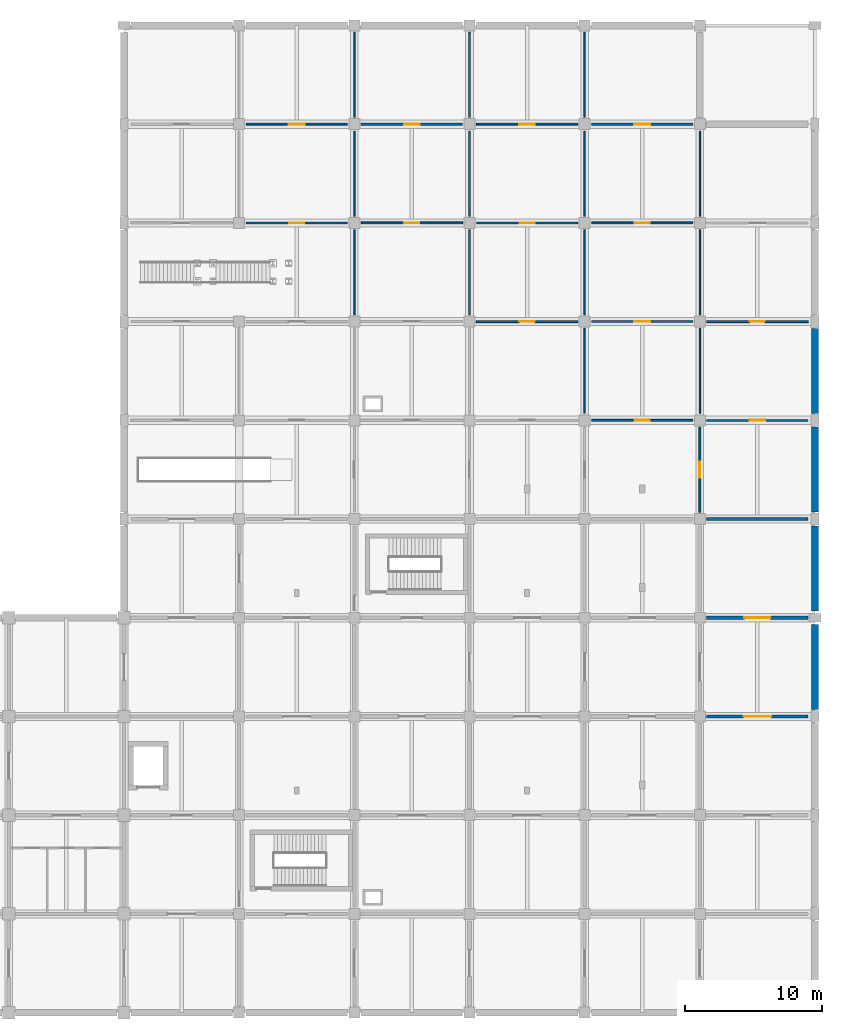
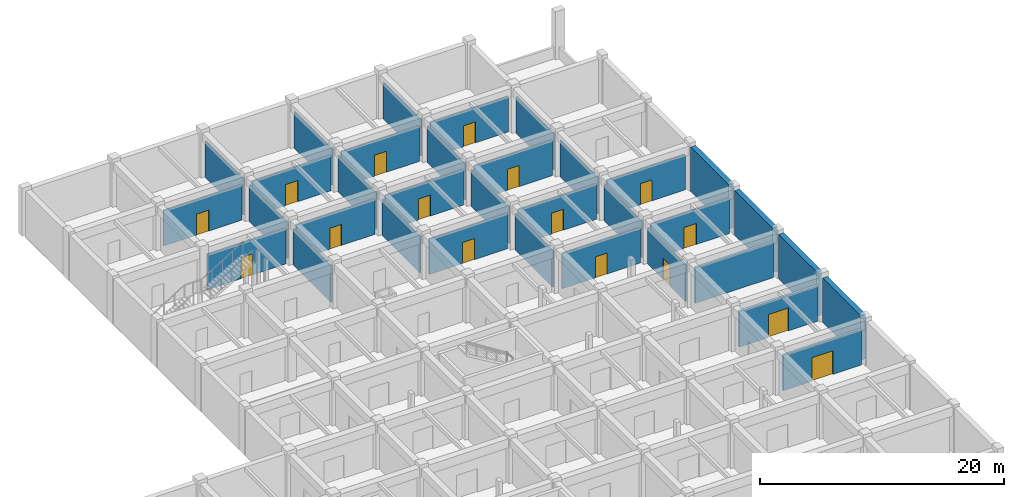
# One storey, part 28 of 32: 34 walls, 16 doors, 16 openings.
"""IFC4 building model written with IfcOpenShell, lengths in metres."""

from ifc_helpers import new_model, si_unit, derived_unit, direction, frame, frame_2d, origin, place, context, subcontext, project, spatial, rectangle, extrude, material, layer, layer_set, type_object, element, fill, save


model = new_model("IFC4")

# Units and contexts
model_context = context("Model", 3, precision=1e-05, world=origin(), true_north=direction((0.0, 1.0)))
body_context = subcontext(model_context, "Body", "Model", "MODEL_VIEW")
ifc_project = project(units=[si_unit("LENGTHUNIT", "METRE"), si_unit("AREAUNIT", "SQUARE_METRE"), si_unit("VOLUMEUNIT", "CUBIC_METRE"), si_unit("PLANEANGLEUNIT", "RADIAN"), si_unit("MASSUNIT", "GRAM", prefix="KILO"), derived_unit("THERMALTRANSMITTANCEUNIT", [(si_unit("MASSUNIT", "GRAM", prefix="KILO"), 1), (si_unit("TIMEUNIT", "SECOND"), -3), (si_unit("THERMODYNAMICTEMPERATUREUNIT", "KELVIN"), -1)])], contexts=[model_context])

# Site, building, storey
site_placement = place(None, origin())
site = spatial("IfcSite", under=ifc_project, at=site_placement, CompositionType="ELEMENT")
building_placement = place(site_placement, origin())
building = spatial("IfcBuilding", under=site, at=building_placement, Name="Veldstrom Oceanarium and Marine Research Institute", CompositionType="ELEMENT")
storey_placement = place(building_placement, frame((0.0, 0.0, -4.800048828125)))
storey = spatial("IfcBuildingStorey", under=building, at=storey_placement, Name="B01", CompositionType="ELEMENT", Elevation=-4.800048828125)

# Wall, opening, door
ifc_material_1 = material(Name="Masonry Fire Compartment Wall", Category="masonry")
ifc_layer_1 = layer(ifc_material_1, 0.22998046875)
ifc_layer_set_1 = layer_set([ifc_layer_1], Name="ARC-WAL-PT1")
wall_type_1 = type_object("IfcWallType", Name="ARC-WAL-PT1", PredefinedType="PARTITIONING", material=ifc_layer_set_1)
wall_1_placement = place(storey_placement, frame((160.10009765625, 64.800048828125, 0.0), z_axis=(0.0, 0.0, 1.0), x_axis=(1.0, 0.0, 0.0)))
wall_1 = element("IfcWall", 1, at=wall_1_placement, inside=storey, type_object=wall_type_1, Name="Interior Partition PT1 B01-0559", PredefinedType="PARTITIONING", context=body_context, shape_type="SweptSolid", body=[
    extrude(rectangle(XDim=7.39990234375, YDim=0.22998046875, at=frame_2d((3.699951171875, 0.0))), origin(), (0.0, 0.0, 1.0), 3.545166015625),
])
opening_1_placement = place(wall_1_placement, frame((2.699951171875, 0.0, 0.0)))
opening_1 = element("IfcOpeningElement", 2, at=opening_1_placement, cuts=wall_1, Name="Opening D-B01-323", PredefinedType="OPENING", context=body_context, shape_type="SweptSolid", body=[
    extrude(rectangle(XDim=2.0, YDim=2.35009765625, at=frame_2d((1.0, 1.175048828125))), frame((0.0, 0.125, 0.0), z_axis=(0.0, -1.0, 0.0), x_axis=(1.0, 0.0, 0.0)), (0.0, 0.0, 1.0), 0.25),
])
ifc_material_2 = material(Name="Filtration Hall Double Door", Category="steel")
door_type_1 = type_object("IfcDoorType", Name="ARC-DOR-ID18", OperationType="DOUBLE_DOOR_SINGLE_SWING", PredefinedType="DOOR", material=ifc_material_2)
door_1_placement = place(opening_1_placement, origin())
door_1 = element("IfcDoor", 3, at=door_1_placement, inside=storey, type_object=door_type_1, Name="Interior Door D-B01-323", OperationType="DOUBLE_DOOR_SINGLE_SWING", OverallHeight=2.35009765625, OverallWidth=2.0, PredefinedType="DOOR", context=body_context, shape_type="SweptSolid", body=[
    extrude(rectangle(XDim=2.0, YDim=2.35009765625, at=frame_2d((1.0, 1.175048828125))), frame((0.0, 0.02490234375, 0.0), z_axis=(0.0, -1.0, 0.0), x_axis=(1.0, 0.0, 0.0)), (0.0, 0.0, 1.0), 0.050048828125),
])
fill(opening_1, door_1)

# Wall
wall_2_placement = place(storey_placement, frame((160.10009765625, 79.199951171875, 0.0), z_axis=(0.0, 0.0, 1.0), x_axis=(1.0, 0.0, 0.0)))
element("IfcWall", 4, at=wall_2_placement, inside=storey, type_object=wall_type_1, Name="Interior Partition PT1 B01-0561", PredefinedType="PARTITIONING", context=body_context, shape_type="SweptSolid", body=[
    extrude(rectangle(XDim=7.39990234375, YDim=0.22998046875, at=frame_2d((3.699951171875, 0.0))), origin(), (0.0, 0.0, 1.0), 3.545166015625),
])

# Wall, opening, door
ifc_material_3 = material(Name="Drywall Corridor Partition", Category="gypsum")
ifc_layer_2 = layer(ifc_material_3, 0.155029296875)
ifc_layer_set_2 = layer_set([ifc_layer_2], Name="ARC-WAL-PT4")
wall_type_2 = type_object("IfcWallType", Name="ARC-WAL-PT4", PredefinedType="PARTITIONING", material=ifc_layer_set_2)
wall_3_placement = place(storey_placement, frame((126.5, 100.800048828125, 0.0), z_axis=(0.0, 0.0, 1.0), x_axis=(1.0, 0.0, 0.0)))
wall_3 = element("IfcWall", 5, at=wall_3_placement, inside=storey, type_object=wall_type_2, Name="Interior Partition PT4 B01-0497", PredefinedType="PARTITIONING", context=body_context, shape_type="SweptSolid", body=[
    extrude(rectangle(XDim=7.39990234375, YDim=0.155029296875, at=frame_2d((3.699951171875, 0.0))), origin(), (0.0, 0.0, 1.0), 3.545166015625),
])
opening_2_placement = place(wall_3_placement, frame((3.14990234375, 0.0, 0.0)))
opening_2 = element("IfcOpeningElement", 6, at=opening_2_placement, cuts=wall_3, Name="Opening D-B01-290", PredefinedType="OPENING", context=body_context, shape_type="SweptSolid", body=[
    extrude(rectangle(XDim=1.10009765625, YDim=2.10009765625, at=frame_2d((0.550048828125, 1.050048828125))), frame((0.0, 0.08740234375, 0.0), z_axis=(0.0, -1.0, 0.0), x_axis=(1.0, 0.0, 0.0)), (0.0, 0.0, 1.0), 0.175048828125),
])
ifc_material_4 = material(Name="Research Office Door", Category="timber")
door_type_2 = type_object("IfcDoorType", Name="ARC-DOR-ID07", OperationType="SINGLE_SWING_LEFT", PredefinedType="DOOR", material=ifc_material_4)
door_2_placement = place(opening_2_placement, frame((1.10009765625, 0.0, 0.0), z_axis=(0.0, 0.0, 1.0), x_axis=(-1.0, 0.0, 0.0)))
door_2 = element("IfcDoor", 7, at=door_2_placement, inside=storey, type_object=door_type_2, Name="Interior Door D-B01-290", OperationType="SINGLE_SWING_LEFT", OverallHeight=2.10009765625, OverallWidth=1.10009765625, PredefinedType="DOOR", context=body_context, shape_type="SweptSolid", body=[
    extrude(rectangle(XDim=1.10009765625, YDim=2.10009765625, at=frame_2d((0.550048828125, 1.050048828125))), frame((0.0, 0.02490234375, 0.0), z_axis=(0.0, -1.0, 0.0), x_axis=(1.0, 0.0, 0.0)), (0.0, 0.0, 1.0), 0.050048828125),
])
fill(opening_2, door_2)

wall_4_placement = place(storey_placement, frame((134.89990234375, 108.0, 0.0), z_axis=(0.0, 0.0, 1.0), x_axis=(1.0, 0.0, 0.0)))
wall_4 = element("IfcWall", 8, at=wall_4_placement, inside=storey, type_object=wall_type_2, Name="Interior Partition PT4 B01-0518", PredefinedType="PARTITIONING", context=body_context, shape_type="SweptSolid", body=[
    extrude(rectangle(XDim=7.400146484375, YDim=0.155029296875, at=frame_2d((3.7001953125, 0.0))), origin(), (0.0, 0.0, 1.0), 3.545166015625),
])
opening_3_placement = place(wall_4_placement, frame((3.125, 0.0, 0.0)))
opening_3 = element("IfcOpeningElement", 9, at=opening_3_placement, cuts=wall_4, Name="Opening D-B01-301", PredefinedType="OPENING", context=body_context, shape_type="SweptSolid", body=[
    extrude(rectangle(XDim=1.14990234375, YDim=2.10009765625, at=frame_2d((0.574951171875, 1.050048828125))), frame((0.0, 0.08740234375, 0.0), z_axis=(0.0, -1.0, 0.0), x_axis=(1.0, 0.0, 0.0)), (0.0, 0.0, 1.0), 0.175048828125),
])
ifc_material_5 = material(Name="Fellows Studio Door", Category="timber")
door_type_3 = type_object("IfcDoorType", Name="ARC-DOR-ID17", OperationType="SINGLE_SWING_LEFT", PredefinedType="DOOR", material=ifc_material_5)
door_3_placement = place(opening_3_placement, frame((1.14990234375, 0.0, 0.0), z_axis=(0.0, 0.0, 1.0), x_axis=(-1.0, 0.0, 0.0)))
door_3 = element("IfcDoor", 10, at=door_3_placement, inside=storey, type_object=door_type_3, Name="Interior Door D-B01-301", OperationType="SINGLE_SWING_LEFT", OverallHeight=2.10009765625, OverallWidth=1.14990234375, PredefinedType="DOOR", context=body_context, shape_type="SweptSolid", body=[
    extrude(rectangle(XDim=1.14990234375, YDim=2.10009765625, at=frame_2d((0.574951171875, 1.050048828125))), frame((0.0, 0.02490234375, 0.0), z_axis=(0.0, -1.0, 0.0), x_axis=(1.0, 0.0, 0.0)), (0.0, 0.0, 1.0), 0.050048828125),
])
fill(opening_3, door_3)

wall_5_placement = place(storey_placement, frame((143.300048828125, 100.800048828125, 0.0), z_axis=(0.0, 0.0, 1.0), x_axis=(1.0, 0.0, 0.0)))
wall_5 = element("IfcWall", 11, at=wall_5_placement, inside=storey, type_object=wall_type_2, Name="Interior Partition PT4 B01-0535", PredefinedType="PARTITIONING", context=body_context, shape_type="SweptSolid", body=[
    extrude(rectangle(XDim=7.39990234375, YDim=0.155029296875, at=frame_2d((3.699951171875, 0.0))), origin(), (0.0, 0.0, 1.0), 3.545166015625),
])
opening_4_placement = place(wall_5_placement, frame((3.14990234375, 0.0, 0.0)))
opening_4 = element("IfcOpeningElement", 12, at=opening_4_placement, cuts=wall_5, Name="Opening D-B01-310", PredefinedType="OPENING", context=body_context, shape_type="SweptSolid", body=[
    extrude(rectangle(XDim=1.10009765625, YDim=2.10009765625, at=frame_2d((0.550048828125, 1.050048828125))), frame((0.0, 0.08740234375, 0.0), z_axis=(0.0, -1.0, 0.0), x_axis=(1.0, 0.0, 0.0)), (0.0, 0.0, 1.0), 0.175048828125),
])
door_4_placement = place(opening_4_placement, frame((1.10009765625, 0.0, 0.0), z_axis=(0.0, 0.0, 1.0), x_axis=(-1.0, 0.0, 0.0)))
door_4 = element("IfcDoor", 13, at=door_4_placement, inside=storey, type_object=door_type_2, Name="Interior Door D-B01-310", OperationType="SINGLE_SWING_LEFT", OverallHeight=2.10009765625, OverallWidth=1.10009765625, PredefinedType="DOOR", context=body_context, shape_type="SweptSolid", body=[
    extrude(rectangle(XDim=1.10009765625, YDim=2.10009765625, at=frame_2d((0.550048828125, 1.050048828125))), frame((0.0, 0.02490234375, 0.0), z_axis=(0.0, -1.0, 0.0), x_axis=(1.0, 0.0, 0.0)), (0.0, 0.0, 1.0), 0.050048828125),
])
fill(opening_4, door_4)

wall_6_placement = place(storey_placement, frame((151.699951171875, 93.60009765625, 0.0), z_axis=(0.0, 0.0, 1.0), x_axis=(1.0, 0.0, 0.0)))
wall_6 = element("IfcWall", 14, at=wall_6_placement, inside=storey, type_object=wall_type_2, Name="Interior Partition PT4 B01-0552", PredefinedType="PARTITIONING", context=body_context, shape_type="SweptSolid", body=[
    extrude(rectangle(XDim=7.400146484375, YDim=0.155029296875, at=frame_2d((3.7001953125, 0.0))), origin(), (0.0, 0.0, 1.0), 3.545166015625),
])
opening_5_placement = place(wall_6_placement, frame((3.125, 0.0, 0.0)))
opening_5 = element("IfcOpeningElement", 15, at=opening_5_placement, cuts=wall_6, Name="Opening D-B01-319", PredefinedType="OPENING", context=body_context, shape_type="SweptSolid", body=[
    extrude(rectangle(XDim=1.14990234375, YDim=2.10009765625, at=frame_2d((0.574951171875, 1.050048828125))), frame((0.0, 0.08740234375, 0.0), z_axis=(0.0, -1.0, 0.0), x_axis=(1.0, 0.0, 0.0)), (0.0, 0.0, 1.0), 0.175048828125),
])
door_5_placement = place(opening_5_placement, frame((1.14990234375, 0.0, 0.0), z_axis=(0.0, 0.0, 1.0), x_axis=(-1.0, 0.0, 0.0)))
door_5 = element("IfcDoor", 16, at=door_5_placement, inside=storey, type_object=door_type_3, Name="Interior Door D-B01-319", OperationType="SINGLE_SWING_LEFT", OverallHeight=2.10009765625, OverallWidth=1.14990234375, PredefinedType="DOOR", context=body_context, shape_type="SweptSolid", body=[
    extrude(rectangle(XDim=1.14990234375, YDim=2.10009765625, at=frame_2d((0.574951171875, 1.050048828125))), frame((0.0, 0.02490234375, 0.0), z_axis=(0.0, -1.0, 0.0), x_axis=(1.0, 0.0, 0.0)), (0.0, 0.0, 1.0), 0.050048828125),
])
fill(opening_5, door_5)

wall_7_placement = place(storey_placement, frame((151.699951171875, 108.0, 0.0), z_axis=(0.0, 0.0, 1.0), x_axis=(1.0, 0.0, 0.0)))
wall_7 = element("IfcWall", 17, at=wall_7_placement, inside=storey, type_object=wall_type_2, Name="Interior Partition PT4 B01-0556", PredefinedType="PARTITIONING", context=body_context, shape_type="SweptSolid", body=[
    extrude(rectangle(XDim=7.400146484375, YDim=0.155029296875, at=frame_2d((3.7001953125, 0.0))), origin(), (0.0, 0.0, 1.0), 3.545166015625),
])
opening_6_placement = place(wall_7_placement, frame((3.125, 0.0, 0.0)))
opening_6 = element("IfcOpeningElement", 18, at=opening_6_placement, cuts=wall_7, Name="Opening D-B01-321", PredefinedType="OPENING", context=body_context, shape_type="SweptSolid", body=[
    extrude(rectangle(XDim=1.14990234375, YDim=2.10009765625, at=frame_2d((0.574951171875, 1.050048828125))), frame((0.0, 0.08740234375, 0.0), z_axis=(0.0, -1.0, 0.0), x_axis=(1.0, 0.0, 0.0)), (0.0, 0.0, 1.0), 0.175048828125),
])
door_6_placement = place(opening_6_placement, frame((1.14990234375, 0.0, 0.0), z_axis=(0.0, 0.0, 1.0), x_axis=(-1.0, 0.0, 0.0)))
door_6 = element("IfcDoor", 19, at=door_6_placement, inside=storey, type_object=door_type_3, Name="Interior Door D-B01-321", OperationType="SINGLE_SWING_LEFT", OverallHeight=2.10009765625, OverallWidth=1.14990234375, PredefinedType="DOOR", context=body_context, shape_type="SweptSolid", body=[
    extrude(rectangle(XDim=1.14990234375, YDim=2.10009765625, at=frame_2d((0.574951171875, 1.050048828125))), frame((0.0, 0.02490234375, 0.0), z_axis=(0.0, -1.0, 0.0), x_axis=(1.0, 0.0, 0.0)), (0.0, 0.0, 1.0), 0.050048828125),
])
fill(opening_6, door_6)

wall_8_placement = place(storey_placement, frame((160.10009765625, 86.39990234375, 0.0), z_axis=(0.0, 0.0, 1.0), x_axis=(1.0, 0.0, 0.0)))
wall_8 = element("IfcWall", 20, at=wall_8_placement, inside=storey, type_object=wall_type_2, Name="Interior Partition PT4 B01-0562", PredefinedType="PARTITIONING", context=body_context, shape_type="SweptSolid", body=[
    extrude(rectangle(XDim=7.39990234375, YDim=0.155029296875, at=frame_2d((3.699951171875, 0.0))), origin(), (0.0, 0.0, 1.0), 3.545166015625),
])
opening_7_placement = place(wall_8_placement, frame((3.125, 0.0, 0.0)))
opening_7 = element("IfcOpeningElement", 21, at=opening_7_placement, cuts=wall_8, Name="Opening D-B01-325", PredefinedType="OPENING", context=body_context, shape_type="SweptSolid", body=[
    extrude(rectangle(XDim=1.14990234375, YDim=2.10009765625, at=frame_2d((0.574951171875, 1.050048828125))), frame((0.0, 0.08740234375, 0.0), z_axis=(0.0, -1.0, 0.0), x_axis=(1.0, 0.0, 0.0)), (0.0, 0.0, 1.0), 0.175048828125),
])
door_7_placement = place(opening_7_placement, frame((1.14990234375, 0.0, 0.0), z_axis=(0.0, 0.0, 1.0), x_axis=(-1.0, 0.0, 0.0)))
door_7 = element("IfcDoor", 22, at=door_7_placement, inside=storey, type_object=door_type_3, Name="Interior Door D-B01-325", OperationType="SINGLE_SWING_LEFT", OverallHeight=2.10009765625, OverallWidth=1.14990234375, PredefinedType="DOOR", context=body_context, shape_type="SweptSolid", body=[
    extrude(rectangle(XDim=1.14990234375, YDim=2.10009765625, at=frame_2d((0.574951171875, 1.050048828125))), frame((0.0, 0.02490234375, 0.0), z_axis=(0.0, -1.0, 0.0), x_axis=(1.0, 0.0, 0.0)), (0.0, 0.0, 1.0), 0.050048828125),
])
fill(opening_7, door_7)

ifc_material_6 = material(Name="Moisture-Resistant Wet-Area Partition", Category="masonry")
ifc_layer_3 = layer(ifc_material_6, 0.139892578125)
ifc_layer_set_3 = layer_set([ifc_layer_3], Name="ARC-WAL-PT5")
wall_type_3 = type_object("IfcWallType", Name="ARC-WAL-PT5", PredefinedType="PARTITIONING", material=ifc_layer_set_3)
wall_9_placement = place(storey_placement, frame((126.5, 108.0, 0.0), z_axis=(0.0, 0.0, 1.0), x_axis=(1.0, 0.0, 0.0)))
wall_9 = element("IfcWall", 23, at=wall_9_placement, inside=storey, type_object=wall_type_3, Name="Interior Partition PT5 B01-0499", PredefinedType="PARTITIONING", context=body_context, shape_type="SweptSolid", body=[
    extrude(rectangle(XDim=7.39990234375, YDim=0.139892578125, at=frame_2d((3.699951171875, 0.0))), origin(), (0.0, 0.0, 1.0), 3.545166015625),
])
opening_8_placement = place(wall_9_placement, frame((3.125, 0.0, 0.0)))
opening_8 = element("IfcOpeningElement", 24, at=opening_8_placement, cuts=wall_9, Name="Opening D-B01-291", PredefinedType="OPENING", context=body_context, shape_type="SweptSolid", body=[
    extrude(rectangle(XDim=1.14990234375, YDim=2.10009765625, at=frame_2d((0.574951171875, 1.050048828125))), frame((0.0, 0.079833984375, 0.0), z_axis=(0.0, -1.0, 0.0), x_axis=(1.0, 0.0, 0.0)), (0.0, 0.0, 1.0), 0.159912109375),
])
door_8_placement = place(opening_8_placement, origin())
door_8 = element("IfcDoor", 25, at=door_8_placement, inside=storey, type_object=door_type_3, Name="Interior Door D-B01-291", OperationType="SINGLE_SWING_LEFT", OverallHeight=2.10009765625, OverallWidth=1.14990234375, PredefinedType="DOOR", context=body_context, shape_type="SweptSolid", body=[
    extrude(rectangle(XDim=1.14990234375, YDim=2.10009765625, at=frame_2d((0.574951171875, 1.050048828125))), frame((0.0, 0.02490234375, 0.0), z_axis=(0.0, -1.0, 0.0), x_axis=(1.0, 0.0, 0.0)), (0.0, 0.0, 1.0), 0.050048828125),
])
fill(opening_8, door_8)

wall_10_placement = place(storey_placement, frame((134.89990234375, 100.800048828125, 0.0), z_axis=(0.0, 0.0, 1.0), x_axis=(1.0, 0.0, 0.0)))
wall_10 = element("IfcWall", 26, at=wall_10_placement, inside=storey, type_object=wall_type_3, Name="Interior Partition PT5 B01-0516", PredefinedType="PARTITIONING", context=body_context, shape_type="SweptSolid", body=[
    extrude(rectangle(XDim=7.400146484375, YDim=0.139892578125, at=frame_2d((3.7001953125, 0.0))), origin(), (0.0, 0.0, 1.0), 3.545166015625),
])
opening_9_placement = place(wall_10_placement, frame((3.14990234375, 0.0, 0.0)))
opening_9 = element("IfcOpeningElement", 27, at=opening_9_placement, cuts=wall_10, Name="Opening D-B01-300", PredefinedType="OPENING", context=body_context, shape_type="SweptSolid", body=[
    extrude(rectangle(XDim=1.10009765625, YDim=2.10009765625, at=frame_2d((0.550048828125, 1.050048828125))), frame((0.0, 0.079833984375, 0.0), z_axis=(0.0, -1.0, 0.0), x_axis=(1.0, 0.0, 0.0)), (0.0, 0.0, 1.0), 0.159912109375),
])
door_9_placement = place(opening_9_placement, origin())
door_9 = element("IfcDoor", 28, at=door_9_placement, inside=storey, type_object=door_type_2, Name="Interior Door D-B01-300", OperationType="SINGLE_SWING_LEFT", OverallHeight=2.10009765625, OverallWidth=1.10009765625, PredefinedType="DOOR", context=body_context, shape_type="SweptSolid", body=[
    extrude(rectangle(XDim=1.10009765625, YDim=2.10009765625, at=frame_2d((0.550048828125, 1.050048828125))), frame((0.0, 0.02490234375, 0.0), z_axis=(0.0, -1.0, 0.0), x_axis=(1.0, 0.0, 0.0)), (0.0, 0.0, 1.0), 0.050048828125),
])
fill(opening_9, door_9)

wall_11_placement = place(storey_placement, frame((143.300048828125, 93.60009765625, 0.0), z_axis=(0.0, 0.0, 1.0), x_axis=(1.0, 0.0, 0.0)))
wall_11 = element("IfcWall", 29, at=wall_11_placement, inside=storey, type_object=wall_type_3, Name="Interior Partition PT5 B01-0533", PredefinedType="PARTITIONING", context=body_context, shape_type="SweptSolid", body=[
    extrude(rectangle(XDim=7.39990234375, YDim=0.139892578125, at=frame_2d((3.699951171875, 0.0))), origin(), (0.0, 0.0, 1.0), 3.545166015625),
])
opening_10_placement = place(wall_11_placement, frame((3.125, 0.0, 0.0)))
opening_10 = element("IfcOpeningElement", 30, at=opening_10_placement, cuts=wall_11, Name="Opening D-B01-309", PredefinedType="OPENING", context=body_context, shape_type="SweptSolid", body=[
    extrude(rectangle(XDim=1.14990234375, YDim=2.10009765625, at=frame_2d((0.574951171875, 1.050048828125))), frame((0.0, 0.079833984375, 0.0), z_axis=(0.0, -1.0, 0.0), x_axis=(1.0, 0.0, 0.0)), (0.0, 0.0, 1.0), 0.159912109375),
])
door_10_placement = place(opening_10_placement, origin())
door_10 = element("IfcDoor", 31, at=door_10_placement, inside=storey, type_object=door_type_3, Name="Interior Door D-B01-309", OperationType="SINGLE_SWING_LEFT", OverallHeight=2.10009765625, OverallWidth=1.14990234375, PredefinedType="DOOR", context=body_context, shape_type="SweptSolid", body=[
    extrude(rectangle(XDim=1.14990234375, YDim=2.10009765625, at=frame_2d((0.574951171875, 1.050048828125))), frame((0.0, 0.02490234375, 0.0), z_axis=(0.0, -1.0, 0.0), x_axis=(1.0, 0.0, 0.0)), (0.0, 0.0, 1.0), 0.050048828125),
])
fill(opening_10, door_10)

wall_12_placement = place(storey_placement, frame((143.300048828125, 108.0, 0.0), z_axis=(0.0, 0.0, 1.0), x_axis=(1.0, 0.0, 0.0)))
wall_12 = element("IfcWall", 32, at=wall_12_placement, inside=storey, type_object=wall_type_3, Name="Interior Partition PT5 B01-0537", PredefinedType="PARTITIONING", context=body_context, shape_type="SweptSolid", body=[
    extrude(rectangle(XDim=7.39990234375, YDim=0.139892578125, at=frame_2d((3.699951171875, 0.0))), origin(), (0.0, 0.0, 1.0), 3.545166015625),
])
opening_11_placement = place(wall_12_placement, frame((3.125, 0.0, 0.0)))
opening_11 = element("IfcOpeningElement", 33, at=opening_11_placement, cuts=wall_12, Name="Opening D-B01-311", PredefinedType="OPENING", context=body_context, shape_type="SweptSolid", body=[
    extrude(rectangle(XDim=1.14990234375, YDim=2.10009765625, at=frame_2d((0.574951171875, 1.050048828125))), frame((0.0, 0.079833984375, 0.0), z_axis=(0.0, -1.0, 0.0), x_axis=(1.0, 0.0, 0.0)), (0.0, 0.0, 1.0), 0.159912109375),
])
door_11_placement = place(opening_11_placement, origin())
door_11 = element("IfcDoor", 34, at=door_11_placement, inside=storey, type_object=door_type_3, Name="Interior Door D-B01-311", OperationType="SINGLE_SWING_LEFT", OverallHeight=2.10009765625, OverallWidth=1.14990234375, PredefinedType="DOOR", context=body_context, shape_type="SweptSolid", body=[
    extrude(rectangle(XDim=1.14990234375, YDim=2.10009765625, at=frame_2d((0.574951171875, 1.050048828125))), frame((0.0, 0.02490234375, 0.0), z_axis=(0.0, -1.0, 0.0), x_axis=(1.0, 0.0, 0.0)), (0.0, 0.0, 1.0), 0.050048828125),
])
fill(opening_11, door_11)

wall_13_placement = place(storey_placement, frame((159.60009765625, 79.699951171875, 0.0), z_axis=(0.0, 0.0, 1.0), x_axis=(0.0, 1.0, 0.0)))
wall_13 = element("IfcWall", 35, at=wall_13_placement, inside=storey, type_object=wall_type_3, Name="Interior Partition PT5 B01-0549", PredefinedType="PARTITIONING", context=body_context, shape_type="SweptSolid", body=[
    extrude(rectangle(XDim=6.199951171875, YDim=0.139892578125, at=frame_2d((3.10009765625, 0.0))), origin(), (0.0, 0.0, 1.0), 3.64501953125),
])
opening_12_placement = place(wall_13_placement, frame((2.52490234375, 0.0, 0.0)))
opening_12 = element("IfcOpeningElement", 36, at=opening_12_placement, cuts=wall_13, Name="Opening D-B01-317", PredefinedType="OPENING", context=body_context, shape_type="SweptSolid", body=[
    extrude(rectangle(XDim=1.14990234375, YDim=2.10009765625, at=frame_2d((0.574951171875, 1.050048828125))), frame((0.0, 0.079833984375, 0.0), z_axis=(0.0, -1.0, 0.0), x_axis=(1.0, 0.0, 0.0)), (0.0, 0.0, 1.0), 0.159912109375),
])
door_12_placement = place(opening_12_placement, frame((1.14990234375, 0.0, 0.0), z_axis=(0.0, 0.0, 1.0), x_axis=(-1.0, 0.0, 0.0)))
door_12 = element("IfcDoor", 37, at=door_12_placement, inside=storey, type_object=door_type_3, Name="Interior Door D-B01-317", OperationType="SINGLE_SWING_RIGHT", OverallHeight=2.10009765625, OverallWidth=1.14990234375, PredefinedType="DOOR", context=body_context, shape_type="SweptSolid", body=[
    extrude(rectangle(XDim=1.14990234375, YDim=2.10009765625, at=frame_2d((0.574951171875, 1.050048828125))), frame((0.0, 0.02490234375, 0.0), z_axis=(0.0, -1.0, 0.0), x_axis=(1.0, 0.0, 0.0)), (0.0, 0.0, 1.0), 0.050048828125),
])
fill(opening_12, door_12)

wall_14_placement = place(storey_placement, frame((151.699951171875, 86.39990234375, 0.0), z_axis=(0.0, 0.0, 1.0), x_axis=(1.0, 0.0, 0.0)))
wall_14 = element("IfcWall", 38, at=wall_14_placement, inside=storey, type_object=wall_type_3, Name="Interior Partition PT5 B01-0550", PredefinedType="PARTITIONING", context=body_context, shape_type="SweptSolid", body=[
    extrude(rectangle(XDim=7.400146484375, YDim=0.139892578125, at=frame_2d((3.7001953125, 0.0))), origin(), (0.0, 0.0, 1.0), 3.545166015625),
])
opening_13_placement = place(wall_14_placement, frame((3.14990234375, 0.0, 0.0)))
opening_13 = element("IfcOpeningElement", 39, at=opening_13_placement, cuts=wall_14, Name="Opening D-B01-318", PredefinedType="OPENING", context=body_context, shape_type="SweptSolid", body=[
    extrude(rectangle(XDim=1.10009765625, YDim=2.10009765625, at=frame_2d((0.550048828125, 1.050048828125))), frame((0.0, 0.079833984375, 0.0), z_axis=(0.0, -1.0, 0.0), x_axis=(1.0, 0.0, 0.0)), (0.0, 0.0, 1.0), 0.159912109375),
])
door_13_placement = place(opening_13_placement, origin())
door_13 = element("IfcDoor", 40, at=door_13_placement, inside=storey, type_object=door_type_2, Name="Interior Door D-B01-318", OperationType="SINGLE_SWING_LEFT", OverallHeight=2.10009765625, OverallWidth=1.10009765625, PredefinedType="DOOR", context=body_context, shape_type="SweptSolid", body=[
    extrude(rectangle(XDim=1.10009765625, YDim=2.10009765625, at=frame_2d((0.550048828125, 1.050048828125))), frame((0.0, 0.02490234375, 0.0), z_axis=(0.0, -1.0, 0.0), x_axis=(1.0, 0.0, 0.0)), (0.0, 0.0, 1.0), 0.050048828125),
])
fill(opening_13, door_13)

wall_15_placement = place(storey_placement, frame((151.699951171875, 100.800048828125, 0.0), z_axis=(0.0, 0.0, 1.0), x_axis=(1.0, 0.0, 0.0)))
wall_15 = element("IfcWall", 41, at=wall_15_placement, inside=storey, type_object=wall_type_3, Name="Interior Partition PT5 B01-0554", PredefinedType="PARTITIONING", context=body_context, shape_type="SweptSolid", body=[
    extrude(rectangle(XDim=7.400146484375, YDim=0.139892578125, at=frame_2d((3.7001953125, 0.0))), origin(), (0.0, 0.0, 1.0), 3.545166015625),
])
opening_14_placement = place(wall_15_placement, frame((3.14990234375, 0.0, 0.0)))
opening_14 = element("IfcOpeningElement", 42, at=opening_14_placement, cuts=wall_15, Name="Opening D-B01-320", PredefinedType="OPENING", context=body_context, shape_type="SweptSolid", body=[
    extrude(rectangle(XDim=1.10009765625, YDim=2.10009765625, at=frame_2d((0.550048828125, 1.050048828125))), frame((0.0, 0.079833984375, 0.0), z_axis=(0.0, -1.0, 0.0), x_axis=(1.0, 0.0, 0.0)), (0.0, 0.0, 1.0), 0.159912109375),
])
door_14_placement = place(opening_14_placement, origin())
door_14 = element("IfcDoor", 43, at=door_14_placement, inside=storey, type_object=door_type_2, Name="Interior Door D-B01-320", OperationType="SINGLE_SWING_LEFT", OverallHeight=2.10009765625, OverallWidth=1.10009765625, PredefinedType="DOOR", context=body_context, shape_type="SweptSolid", body=[
    extrude(rectangle(XDim=1.10009765625, YDim=2.10009765625, at=frame_2d((0.550048828125, 1.050048828125))), frame((0.0, 0.02490234375, 0.0), z_axis=(0.0, -1.0, 0.0), x_axis=(1.0, 0.0, 0.0)), (0.0, 0.0, 1.0), 0.050048828125),
])
fill(opening_14, door_14)

wall_16_placement = place(storey_placement, frame((160.10009765625, 93.60009765625, 0.0), z_axis=(0.0, 0.0, 1.0), x_axis=(1.0, 0.0, 0.0)))
wall_16 = element("IfcWall", 44, at=wall_16_placement, inside=storey, type_object=wall_type_3, Name="Interior Partition PT5 B01-0563", PredefinedType="PARTITIONING", context=body_context, shape_type="SweptSolid", body=[
    extrude(rectangle(XDim=7.39990234375, YDim=0.139892578125, at=frame_2d((3.699951171875, 0.0))), origin(), (0.0, 0.0, 1.0), 3.545166015625),
])
opening_15_placement = place(wall_16_placement, frame((3.14990234375, 0.0, 0.0)))
opening_15 = element("IfcOpeningElement", 45, at=opening_15_placement, cuts=wall_16, Name="Opening D-B01-326", PredefinedType="OPENING", context=body_context, shape_type="SweptSolid", body=[
    extrude(rectangle(XDim=1.10009765625, YDim=2.10009765625, at=frame_2d((0.550048828125, 1.050048828125))), frame((0.0, 0.079833984375, 0.0), z_axis=(0.0, -1.0, 0.0), x_axis=(1.0, 0.0, 0.0)), (0.0, 0.0, 1.0), 0.159912109375),
])
door_15_placement = place(opening_15_placement, origin())
door_15 = element("IfcDoor", 46, at=door_15_placement, inside=storey, type_object=door_type_2, Name="Interior Door D-B01-326", OperationType="SINGLE_SWING_LEFT", OverallHeight=2.10009765625, OverallWidth=1.10009765625, PredefinedType="DOOR", context=body_context, shape_type="SweptSolid", body=[
    extrude(rectangle(XDim=1.10009765625, YDim=2.10009765625, at=frame_2d((0.550048828125, 1.050048828125))), frame((0.0, 0.02490234375, 0.0), z_axis=(0.0, -1.0, 0.0), x_axis=(1.0, 0.0, 0.0)), (0.0, 0.0, 1.0), 0.050048828125),
])
fill(opening_15, door_15)

# Walls
ifc_material_7 = material(Name="Lightweight Studio Partition", Category="gypsum")
ifc_layer_4 = layer(ifc_material_7, 0.1201171875)
ifc_layer_set_4 = layer_set([ifc_layer_4], Name="ARC-WAL-PT6")
wall_type_4 = type_object("IfcWallType", Name="ARC-WAL-PT6", PredefinedType="PARTITIONING", material=ifc_layer_set_4)
for number, where, z_axis, x_axis, name in (
    (47, (134.39990234375, 94.10009765625, 0.0), (0.0, 0.0, 1.0), (0.0, 1.0, 0.0), "Interior Partition PT6 B01-0496"),
    (48, (134.39990234375, 101.300048828125, 0.0), (0.0, 0.0, 1.0), (0.0, 1.0, 0.0), "Interior Partition PT6 B01-0498"),
    (49, (134.39990234375, 108.5, 0.0), (0.0, 0.0, 1.0), (0.0, 1.0, 0.0), "Interior Partition PT6 B01-0500"),
    (50, (142.800048828125, 94.10009765625, 0.0), (0.0, 0.0, 1.0), (0.0, 1.0, 0.0), "Interior Partition PT6 B01-0515"),
    (51, (142.800048828125, 101.300048828125, 0.0), (0.0, 0.0, 1.0), (0.0, 1.0, 0.0), "Interior Partition PT6 B01-0517"),
    (52, (142.800048828125, 108.5, 0.0), (0.0, 0.0, 1.0), (0.0, 1.0, 0.0), "Interior Partition PT6 B01-0519"),
):
    element("IfcWall", number, at=place(storey_placement, frame(where, z_axis=z_axis, x_axis=x_axis)), inside=storey, type_object=wall_type_4, Name=name, PredefinedType="PARTITIONING", context=body_context, shape_type="SweptSolid", body=[
        extrude(rectangle(XDim=6.199951171875, YDim=0.1201171875, at=frame_2d((3.10009765625, 0.0))), origin(), (0.0, 0.0, 1.0), 3.64501953125),
    ])
wall_17_placement = place(storey_placement, frame((151.199951171875, 86.89990234375, 0.0), z_axis=(0.0, 0.0, 1.0), x_axis=(0.0, 1.0, 0.0)))
element("IfcWall", 53, at=wall_17_placement, inside=storey, type_object=wall_type_4, Name="Interior Partition PT6 B01-0532", PredefinedType="PARTITIONING", context=body_context, shape_type="SweptSolid", body=[
    extrude(rectangle(XDim=6.2001953125, YDim=0.1201171875, at=frame_2d((3.10009765625, 0.0))), origin(), (0.0, 0.0, 1.0), 3.64501953125),
])
for number, where, z_axis, x_axis, name in (
    (54, (151.199951171875, 94.10009765625, 0.0), (0.0, 0.0, 1.0), (0.0, 1.0, 0.0), "Interior Partition PT6 B01-0534"),
    (55, (151.199951171875, 101.300048828125, 0.0), (0.0, 0.0, 1.0), (0.0, 1.0, 0.0), "Interior Partition PT6 B01-0536"),
    (56, (151.199951171875, 108.5, 0.0), (0.0, 0.0, 1.0), (0.0, 1.0, 0.0), "Interior Partition PT6 B01-0538"),
):
    element("IfcWall", number, at=place(storey_placement, frame(where, z_axis=z_axis, x_axis=x_axis)), inside=storey, type_object=wall_type_4, Name=name, PredefinedType="PARTITIONING", context=body_context, shape_type="SweptSolid", body=[
        extrude(rectangle(XDim=6.199951171875, YDim=0.1201171875, at=frame_2d((3.10009765625, 0.0))), origin(), (0.0, 0.0, 1.0), 3.64501953125),
    ])
wall_18_placement = place(storey_placement, frame((159.60009765625, 86.89990234375, 0.0), z_axis=(0.0, 0.0, 1.0), x_axis=(0.0, 1.0, 0.0)))
element("IfcWall", 57, at=wall_18_placement, inside=storey, type_object=wall_type_4, Name="Interior Partition PT6 B01-0551", PredefinedType="PARTITIONING", context=body_context, shape_type="SweptSolid", body=[
    extrude(rectangle(XDim=6.2001953125, YDim=0.1201171875, at=frame_2d((3.10009765625, 0.0))), origin(), (0.0, 0.0, 1.0), 3.64501953125),
])
for number, where, z_axis, x_axis, name in (
    (58, (159.60009765625, 94.10009765625, 0.0), (0.0, 0.0, 1.0), (0.0, 1.0, 0.0), "Interior Partition PT6 B01-0553"),
    (59, (159.60009765625, 101.300048828125, 0.0), (0.0, 0.0, 1.0), (0.0, 1.0, 0.0), "Interior Partition PT6 B01-0555"),
):
    element("IfcWall", number, at=place(storey_placement, frame(where, z_axis=z_axis, x_axis=x_axis)), inside=storey, type_object=wall_type_4, Name=name, PredefinedType="PARTITIONING", context=body_context, shape_type="SweptSolid", body=[
        extrude(rectangle(XDim=6.199951171875, YDim=0.1201171875, at=frame_2d((3.10009765625, 0.0))), origin(), (0.0, 0.0, 1.0), 3.64501953125),
    ])

# Wall, opening, door
ifc_material_8 = material(Name="Plant Acoustic Masonry Wall", Category="masonry")
ifc_layer_5 = layer(ifc_material_8, 0.260009765625)
ifc_layer_set_5 = layer_set([ifc_layer_5], Name="ARC-WAL-PT8")
wall_type_5 = type_object("IfcWallType", Name="ARC-WAL-PT8", PredefinedType="PARTITIONING", material=ifc_layer_set_5)
wall_19_placement = place(storey_placement, frame((160.10009765625, 72.0, 0.0), z_axis=(0.0, 0.0, 1.0), x_axis=(1.0, 0.0, 0.0)))
wall_19 = element("IfcWall", 60, at=wall_19_placement, inside=storey, type_object=wall_type_5, Name="Interior Partition PT8 B01-0560", PredefinedType="PARTITIONING", context=body_context, shape_type="SweptSolid", body=[
    extrude(rectangle(XDim=7.39990234375, YDim=0.260009765625, at=frame_2d((3.699951171875, 0.0))), origin(), (0.0, 0.0, 1.0), 3.545166015625),
])
opening_16_placement = place(wall_19_placement, frame((2.75, 0.0, 0.0)))
opening_16 = element("IfcOpeningElement", 61, at=opening_16_placement, cuts=wall_19, Name="Opening D-B01-324", PredefinedType="OPENING", context=body_context, shape_type="SweptSolid", body=[
    extrude(rectangle(XDim=1.89990234375, YDim=2.300048828125, at=frame_2d((0.949951171875, 1.14990234375))), frame((0.0, 0.139892578125, 0.0), z_axis=(0.0, -1.0, 0.0), x_axis=(1.0, 0.0, 0.0)), (0.0, 0.0, 1.0), 0.280029296875),
])
ifc_material_9 = material(Name="Plant Hall Equipment Door", Category="steel")
door_type_4 = type_object("IfcDoorType", Name="ARC-DOR-ID12", OperationType="DOUBLE_DOOR_SINGLE_SWING", PredefinedType="DOOR", material=ifc_material_9)
door_16_placement = place(opening_16_placement, frame((1.89990234375, 0.0, 0.0), z_axis=(0.0, 0.0, 1.0), x_axis=(-1.0, 0.0, 0.0)))
door_16 = element("IfcDoor", 62, at=door_16_placement, inside=storey, type_object=door_type_4, Name="Interior Door D-B01-324", OperationType="DOUBLE_DOOR_SINGLE_SWING", OverallHeight=2.300048828125, OverallWidth=1.89990234375, PredefinedType="DOOR", context=body_context, shape_type="SweptSolid", body=[
    extrude(rectangle(XDim=1.89990234375, YDim=2.300048828125, at=frame_2d((0.949951171875, 1.14990234375))), frame((0.0, 0.02490234375, 0.0), z_axis=(0.0, -1.0, 0.0), x_axis=(1.0, 0.0, 0.0)), (0.0, 0.0, 1.0), 0.050048828125),
])
fill(opening_16, door_16)

# Walls
ifc_material_10 = material(Name="Concrete C40/50", Category="concrete")
ifc_layer_6 = layer(ifc_material_10, 0.47998046875)
ifc_layer_set_6 = layer_set([ifc_layer_6], Name="STR-WAL-WR2")
wall_type_6 = type_object("IfcWallType", Name="STR-WAL-WR2", PredefinedType="USERDEFINED", material=ifc_layer_set_6)
for number, where, z_axis, x_axis, name in (
    (63, (168.0, 65.300048828125, 0.0), (0.0, 0.0, 1.0), (0.0, 1.0, 0.0), "Basement Retaining Wall WR2-B01-066"),
    (64, (168.0, 72.5, 0.0), (0.0, 0.0, 1.0), (0.0, 1.0, 0.0), "Basement Retaining Wall WR2-B01-067"),
    (65, (168.0, 79.699951171875, 0.0), (0.0, 0.0, 1.0), (0.0, 1.0, 0.0), "Basement Retaining Wall WR2-B01-068"),
):
    element("IfcWall", number, at=place(storey_placement, frame(where, z_axis=z_axis, x_axis=x_axis)), inside=storey, type_object=wall_type_6, Name=name, ObjectType="Retaining wall", PredefinedType="USERDEFINED", context=body_context, shape_type="SweptSolid", body=[
        extrude(rectangle(XDim=6.199951171875, YDim=0.47998046875, at=frame_2d((3.10009765625, 0.0))), origin(), (0.0, 0.0, 1.0), 4.449951171875),
    ])
wall_20_placement = place(storey_placement, frame((168.0, 86.89990234375, 0.0), z_axis=(0.0, 0.0, 1.0), x_axis=(0.0, 1.0, 0.0)))
element("IfcWall", 66, at=wall_20_placement, inside=storey, type_object=wall_type_6, Name="Basement Retaining Wall WR2-B01-069", ObjectType="Retaining wall", PredefinedType="USERDEFINED", context=body_context, shape_type="SweptSolid", body=[
    extrude(rectangle(XDim=6.2001953125, YDim=0.47998046875, at=frame_2d((3.10009765625, 0.0))), origin(), (0.0, 0.0, 1.0), 4.449951171875),
])

save(model, "model.ifc")
